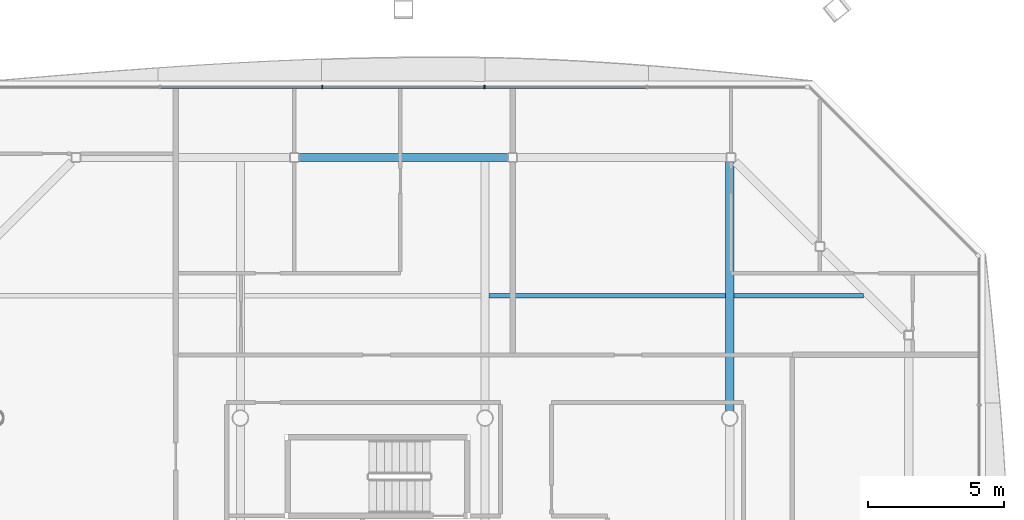
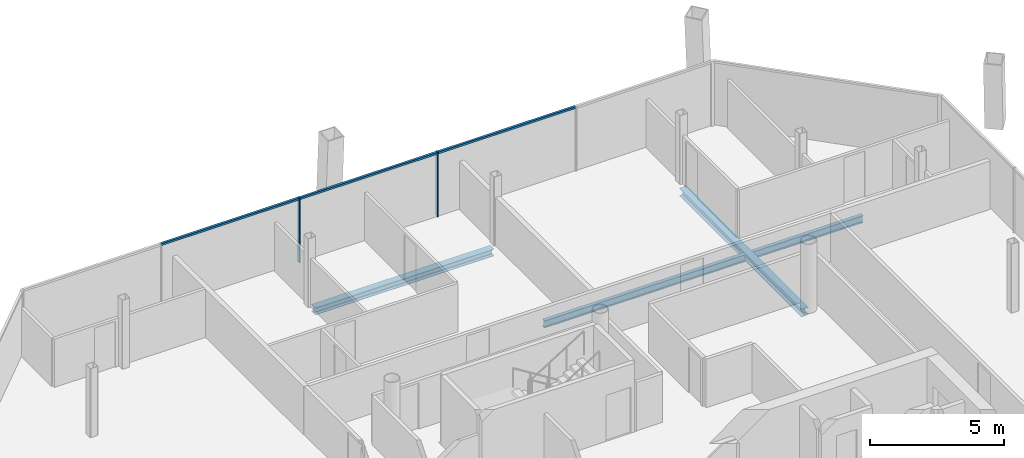
# One storey, part 11 of 20: 5 members, 4 beams, 1 element without a shape of its own.
"""IFC4 building model written with IfcOpenShell, lengths in metres."""

import ifcopenshell
import ifcopenshell.guid

model = None  # the IFC model being written
_history = None  # IfcOwnerHistory: only IFC2X3 demands one
_inside = {}  # id of a spatial element -> (the spatial element, [elements in it])
_under = {}  # id of a project, library or spatial element -> (it, [spatial elements below it])
_declared = {}  # id of a project -> (the project, [libraries it declares])
_typed = {}  # id of a type object -> (the type object, [elements of that type])
_made_of = {}  # id of a material, layer set ... -> (it, [elements and type objects made of it])


def new_model(schema):
    """Start an empty IFC model of exactly this schema.

    Asked for "IFC4X3", IfcOpenShell would pick the latest addendum, in which some entities
    have other attributes; the version numbers below select the first issue.
    IFC2X3 requires an IfcOwnerHistory on every rooted entity: one is made here for all.
    """
    global model, _history
    if schema == "IFC4X3":
        model = ifcopenshell.file(schema_version=(4, 3, 0, 0))
    else:
        model = ifcopenshell.file(schema=schema)
    _inside.clear()
    _under.clear()
    _declared.clear()
    _typed.clear()
    _made_of.clear()
    _history = None
    if model.schema == "IFC2X3":
        org = make("IfcOrganization", Name="unknown")
        user = make(
            "IfcPersonAndOrganization",
            ThePerson=make("IfcPerson", FamilyName="unknown"),
            TheOrganization=org,
        )
        app = make(
            "IfcApplication",
            ApplicationDeveloper=org,
            Version="unknown",
            ApplicationFullName="unknown",
            ApplicationIdentifier="unknown",
        )
        _history = make(
            "IfcOwnerHistory",
            OwningUser=user,
            OwningApplication=app,
            ChangeAction="ADDED",
            CreationDate=0,
        )
    return model


def make(cls, **values):
    """One entity of the class cls with the attributes given. An attribute that is None is left unset."""
    return model.create_entity(
        cls, **{name: value for name, value in values.items() if value is not None}
    )


def rooted(cls, **values):
    """An entity with a GlobalId (a new one), such as an element, a storey or a relation."""
    return make(cls, GlobalId=ifcopenshell.guid.new(), OwnerHistory=_history, **values)


def si_unit(unit_type, name, prefix=None):
    """IfcSIUnit, for example si_unit("LENGTHUNIT", "METRE", prefix="MILLI")."""
    return make("IfcSIUnit", UnitType=unit_type, Prefix=prefix, Name=name)


def assignment(units):
    """IfcUnitAssignment: the units of a project."""
    return None if units is None else make("IfcUnitAssignment", Units=units)


def point(xyz):
    """IfcCartesianPoint."""
    return None if xyz is None else make("IfcCartesianPoint", Coordinates=xyz)


def direction(xyz):
    """IfcDirection."""
    return None if xyz is None else make("IfcDirection", DirectionRatios=xyz)


def frame(location, z_axis=None, x_axis=None):
    """IfcAxis2Placement3D, a coordinate frame: its origin and axes. An axis left out is left unset."""
    return make(
        "IfcAxis2Placement3D",
        Location=point(location),
        Axis=direction(z_axis),
        RefDirection=direction(x_axis),
    )


def frame_2d(location, x_axis=None):
    """IfcAxis2Placement2D, a coordinate frame in the plane: its origin and x axis."""
    return make(
        "IfcAxis2Placement2D", Location=point(location), RefDirection=direction(x_axis)
    )


def origin():
    """The frame at (0, 0, 0) with its axes left unset."""
    return frame((0.0, 0.0, 0.0))


def origin_2d():
    """The frame at (0, 0) in the plane with its x axis left unset."""
    return frame_2d((0.0, 0.0))


def place(relative_to, where):
    """IfcLocalPlacement: puts the frame where relative to a parent placement (None: the world)."""
    return make(
        "IfcLocalPlacement", PlacementRelTo=relative_to, RelativePlacement=where
    )


def context(
    kind, dimensions, precision=None, world=None, true_north=None, identifier=None
):
    """IfcGeometricRepresentationContext, for example the 3D "Model" context."""
    return make(
        "IfcGeometricRepresentationContext",
        ContextIdentifier=identifier,
        ContextType=kind,
        CoordinateSpaceDimension=dimensions,
        Precision=precision,
        WorldCoordinateSystem=world,
        TrueNorth=true_north,
    )


def subcontext(parent, identifier, kind, view, scale=None):
    """IfcGeometricRepresentationSubContext, for example "Body" below "Model"."""
    return make(
        "IfcGeometricRepresentationSubContext",
        ContextIdentifier=identifier,
        ContextType=kind,
        ParentContext=parent,
        TargetScale=scale,
        TargetView=view,
    )


def project(units=None, contexts=None):
    """IfcProject with its units and contexts."""
    return rooted(
        "IfcProject",
        Name="project",
        RepresentationContexts=contexts,
        UnitsInContext=assignment(units),
    )


def spatial(cls, under=None, at=None, **own):
    """A site, building, storey or space (cls), placed at a placement, below another one or the project."""
    s = rooted(cls, ObjectPlacement=at, **own)
    if under is not None:
        _under.setdefault(under.id(), (under, []))[1].append(s)
    return s


def profile(cls, at=None, kind="AREA", **sizes):
    """A parametric profile (cls). Its sizes go by their IFC names, for example OverallWidth=200.0."""
    return make(cls, ProfileType=kind, Position=at, **sizes)


def rectangle(**sizes):
    """IfcRectangleProfileDef."""
    return profile("IfcRectangleProfileDef", **sizes)


def i_section(**sizes):
    """IfcIShapeProfileDef."""
    return profile("IfcIShapeProfileDef", **sizes)


def extrude(swept, where, along, depth):
    """IfcExtrudedAreaSolid: the profile swept, set in the frame where, extruded along a direction by depth."""
    return make(
        "IfcExtrudedAreaSolid",
        SweptArea=swept,
        Position=where,
        ExtrudedDirection=direction(along),
        Depth=depth,
    )


def shape(context_of_items, identifier, shape_type, items):
    """IfcShapeRepresentation: the items that make up one representation, for example the "Body"."""
    return make(
        "IfcShapeRepresentation",
        ContextOfItems=context_of_items,
        RepresentationIdentifier=identifier,
        RepresentationType=shape_type,
        Items=items,
    )


def material(Name=None, Category=None):
    """IfcMaterial."""
    return make("IfcMaterial", Name=Name, Category=Category)


def material_profile(
    of_material, cross_section, Name=None, Category=None, Priority=None
):
    """IfcMaterialProfile: a cross section and its material."""
    return make(
        "IfcMaterialProfile",
        Name=Name,
        Material=of_material,
        Profile=cross_section,
        Priority=Priority,
        Category=Category,
    )


def profile_set(profiles, Name=None, composite=None):
    """IfcMaterialProfileSet."""
    return make(
        "IfcMaterialProfileSet",
        Name=Name,
        MaterialProfiles=profiles,
        CompositeProfile=composite,
    )


def made_of(thing, what):
    """Note that an element or type object is made of a material, layer set ...; save() writes the relation."""
    if what is not None:
        _made_of.setdefault(what.id(), (what, []))[1].append(thing)
    return thing


def type_object(cls, material=None, **own):
    """A type object (cls), such as IfcWallType, which elements share."""
    return made_of(rooted(cls, **own), material)


def element(
    cls,
    number,
    at=None,
    inside=None,
    cuts=None,
    type_object=None,
    material=None,
    context=None,
    identifier="Body",
    shape_type=None,
    held_by="IfcProductDefinitionShape",
    body=None,
    shapes=None,
    **own,
):
    """One element of the class cls, such as IfcWall. Its Tag is "e" and its number.

    at: its placement. inside: the storey or other place that contains it. cuts: it is an
    opening in that element (IfcRelVoidsElement). A single representation is given by context,
    identifier, shape_type and body (its items); several are given by shapes. held_by: the class
    of the entity that holds the representations. save() writes the other relations.
    """
    e = rooted(cls, Tag="e%d" % number, ObjectPlacement=at, **own)
    if body is not None:
        shapes = [shape(context, identifier, shape_type, body)]
    if shapes is not None:
        e.Representation = make(held_by, Representations=shapes)
    if inside is not None:
        _inside.setdefault(inside.id(), (inside, []))[1].append(e)
    if cuts is not None:
        rooted(
            "IfcRelVoidsElement", RelatingBuildingElement=cuts, RelatedOpeningElement=e
        )
    if type_object is not None:
        _typed.setdefault(type_object.id(), (type_object, []))[1].append(e)
    return made_of(e, material)


def aggregate(whole, parts):
    """IfcRelAggregates: a whole, such as a stair, and the parts it consists of."""
    return rooted("IfcRelAggregates", RelatingObject=whole, RelatedObjects=parts)


def save(model, path):
    """Write the relations noted so far, then the file.

    IfcRelAggregates (storeys below a building ...), IfcRelContainedInSpatialStructure (elements
    in a storey), IfcRelDefinesByType, IfcRelAssociatesMaterial and IfcRelDeclares: one each for
    every whole, place, type object, material and project.
    """
    for whole, parts in _under.values():
        aggregate(whole, parts)
    for where, things in _inside.values():
        rooted(
            "IfcRelContainedInSpatialStructure",
            RelatedElements=things,
            RelatingStructure=where,
        )
    for kind, things in _typed.values():
        rooted("IfcRelDefinesByType", RelatedObjects=things, RelatingType=kind)
    for what, things in _made_of.values():
        rooted("IfcRelAssociatesMaterial", RelatedObjects=things, RelatingMaterial=what)
    for by, libraries in _declared.values():
        rooted("IfcRelDeclares", RelatingContext=by, RelatedDefinitions=libraries)
    model.write(path)


model = new_model("IFC4")

# Units and contexts
model_context = context("Model", 3, precision=1e-05, world=origin(), true_north=direction((0.0, 1.0)))
body_context = subcontext(model_context, "Body", "Model", "MODEL_VIEW")
ifc_project = project(units=[si_unit("LENGTHUNIT", "METRE"), si_unit("AREAUNIT", "SQUARE_METRE"), si_unit("VOLUMEUNIT", "CUBIC_METRE"), si_unit("PLANEANGLEUNIT", "RADIAN"), si_unit("MASSUNIT", "GRAM", prefix="KILO")], contexts=[model_context])

# Site, building, storey
site_placement = place(None, origin())
site = spatial("IfcSite", under=ifc_project, at=site_placement, CompositionType="ELEMENT")
building_placement = place(site_placement, origin())
building = spatial("IfcBuilding", under=site, at=building_placement, Name="Tskaro Facet Tower", CompositionType="ELEMENT")
storey_placement = place(building_placement, frame((0.0, 0.0, 175.35009765625)))
storey = spatial("IfcBuildingStorey", under=building, at=storey_placement, Name="L43", CompositionType="ELEMENT", Elevation=175.35009765625)

# Curtain wall, members
ifc_material_1 = material(Name="Bronze anodised aluminium 6063-T6", Category="aluminium")
curtain_wall_type = type_object("IfcCurtainWallType", Name="Bronze residence curtain wall (FW3)", PredefinedType="NOTDEFINED", material=ifc_material_1)
curtain_wall_placement = place(storey_placement, origin())
curtain_wall = element("IfcCurtainWall", 1, at=curtain_wall_placement, inside=storey, type_object=curtain_wall_type, Name="FW3 north facet L43", PredefinedType="NOTDEFINED")
ifc_material_profile_1 = material_profile(ifc_material_1, rectangle(XDim=0.050048828125, YDim=0.139892578125, at=origin_2d()), Name="Mullion 50x140")
ifc_profile_set_1 = profile_set([ifc_material_profile_1], Name="Bronze anodised aluminium 6063-T6")
member_type_1 = type_object("IfcMemberType", Name="FW3 bronze mullion 50x140", PredefinedType="MULLION", material=ifc_profile_set_1)
member_1_placement = place(storey_placement, frame((-0.013916015625, 21.176025390625, 0.0), z_axis=(0.0, 0.0, 1.0), x_axis=(-1.0, 0.0, 0.0)))
member_1 = element("IfcMember", 2, at=member_1_placement, type_object=member_type_1, Name="FW3 north mullion 2", PredefinedType="MULLION", context=body_context, shape_type="SweptSolid", body=[
    extrude(rectangle(XDim=0.050048828125, YDim=0.139892578125, at=origin_2d()), origin(), (0.0, 0.0, 1.0), 2.949951171875),
])
member_2_placement = place(storey_placement, frame((-5.986083984375, 21.176025390625, 0.0), z_axis=(0.0, 0.0, 1.0), x_axis=(-1.0, 0.0, 0.0)))
member_2 = element("IfcMember", 3, at=member_2_placement, type_object=member_type_1, Name="FW3 north mullion 3", PredefinedType="MULLION", context=body_context, shape_type="SweptSolid", body=[
    extrude(rectangle(XDim=0.050048828125, YDim=0.139892578125, at=origin_2d()), origin(), (0.0, 0.0, 1.0), 2.949951171875),
])
ifc_material_profile_2 = material_profile(ifc_material_1, rectangle(XDim=0.10009765625, YDim=0.090087890625, at=origin_2d()), Name="Transom 100x90")
ifc_profile_set_2 = profile_set([ifc_material_profile_2], Name="Bronze anodised aluminium 6063-T6")
member_type_2 = type_object("IfcMemberType", Name="FW3 bronze transom 100x90", PredefinedType="USERDEFINED", material=ifc_profile_set_2)
member_3_placement = place(storey_placement, frame((5.93359375, 21.176025390625, 2.90478515625), z_axis=(-1.0, 0.0, 0.0), x_axis=(0.0, -1.0, 0.0)))
member_3 = element("IfcMember", 4, at=member_3_placement, type_object=member_type_2, Name="FW3 north transom 2.1", ObjectType="TRANSOM", PredefinedType="USERDEFINED", context=body_context, shape_type="SweptSolid", body=[
    extrude(rectangle(XDim=0.10009765625, YDim=0.090087890625, at=origin_2d()), origin(), (0.0, 0.0, 1.0), 5.92236328125),
])
member_4_placement = place(storey_placement, frame((-0.038818359375, 21.176025390625, 2.90478515625), z_axis=(-1.0, 0.0, 0.0), x_axis=(0.0, -1.0, 0.0)))
member_4 = element("IfcMember", 5, at=member_4_placement, type_object=member_type_2, Name="FW3 north transom 3.1", ObjectType="TRANSOM", PredefinedType="USERDEFINED", context=body_context, shape_type="SweptSolid", body=[
    extrude(rectangle(XDim=0.10009765625, YDim=0.090087890625, at=origin_2d()), origin(), (0.0, 0.0, 1.0), 5.92236328125),
])
member_5_placement = place(storey_placement, frame((-6.01123046875, 21.176025390625, 2.90478515625), z_axis=(-1.0, 0.0, 0.0), x_axis=(0.0, -1.0, 0.0)))
member_5 = element("IfcMember", 6, at=member_5_placement, type_object=member_type_2, Name="FW3 north transom 4.1", ObjectType="TRANSOM", PredefinedType="USERDEFINED", context=body_context, shape_type="SweptSolid", body=[
    extrude(rectangle(XDim=0.10009765625, YDim=0.090087890625, at=origin_2d()), origin(), (0.0, 0.0, 1.0), 5.92236328125),
])
aggregate(curtain_wall, [member_1, member_2, member_3, member_4, member_5])

# Beams
ifc_material_2 = material(Name="Steel S355J2", Category="steel")
ifc_material_profile_3 = material_profile(ifc_material_2, i_section(OverallWidth=0.300048828125, OverallDepth=0.320068359375, WebThickness=0.011474609375, FlangeThickness=0.0205078125, FilletRadius=0.027099609375, at=origin_2d()), Name="HE 320 B")
ifc_profile_set_3 = profile_set([ifc_material_profile_3], Name="Steel S355J2")
beam_type_1 = type_object("IfcBeamType", Name="HE 320 B ring beam", PredefinedType="BEAM", material=ifc_profile_set_3)
beam_1_placement = place(storey_placement, frame((0.860107421875, 18.5830078125, -0.300048828125), z_axis=(-1.0, 0.0, 0.0), x_axis=(0.0, -1.0, 0.0)))
element("IfcBeam", 7, at=beam_1_placement, inside=storey, type_object=beam_type_1, Name="HE 320 B EB13-4", PredefinedType="BEAM", context=body_context, shape_type="SweptSolid", body=[
    extrude(i_section(OverallWidth=0.300048828125, OverallDepth=0.320068359375, WebThickness=0.011474609375, FlangeThickness=0.0205078125, FilletRadius=0.027099609375, at=origin_2d()), origin(), (0.0, 0.0, 1.0), 7.72021484375),
])
ifc_material_profile_4 = material_profile(ifc_material_2, i_section(OverallWidth=0.300048828125, OverallDepth=0.35009765625, WebThickness=0.010009765625, FlangeThickness=0.017578125, FilletRadius=0.027099609375, at=origin_2d()), Name="HE 360 A")
ifc_profile_set_4 = profile_set([ifc_material_profile_4], Name="Steel S355J2")
beam_type_2 = type_object("IfcBeamType", Name="HE 360 A girder", PredefinedType="BEAM", material=ifc_profile_set_4)
beam_2_placement = place(storey_placement, frame((9.0, 9.27490234375, -0.315185546875), z_axis=(0.0, 1.0, 0.0), x_axis=(-1.0, 0.0, 0.0)))
element("IfcBeam", 8, at=beam_2_placement, inside=storey, type_object=beam_type_2, Name="HE 360 A GB5-3-4", PredefinedType="BEAM", context=body_context, shape_type="SweptSolid", body=[
    extrude(i_section(OverallWidth=0.300048828125, OverallDepth=0.35009765625, WebThickness=0.010009765625, FlangeThickness=0.017578125, FilletRadius=0.027099609375, at=origin_2d()), origin(), (0.0, 0.0, 1.0), 9.14208984375),
])
ifc_material_profile_5 = material_profile(ifc_material_2, i_section(OverallWidth=0.159912109375, OverallDepth=0.330078125, WebThickness=0.007568359375, FlangeThickness=0.011474609375, FilletRadius=0.01806640625, at=origin_2d()), Name="IPE 330")
ifc_profile_set_5 = profile_set([ifc_material_profile_5], Name="Steel S355J2")
beam_type_3 = type_object("IfcBeamType", Name="IPE 330 secondary beam", PredefinedType="BEAM", material=ifc_profile_set_5)
beam_3_placement = place(storey_placement, frame((0.14990234375, 13.5, -0.30517578125), z_axis=(1.0, 0.0, 0.0), x_axis=(0.0, 1.0, 0.0)))
element("IfcBeam", 9, at=beam_3_placement, inside=storey, type_object=beam_type_3, Name="IPE 330 SB5a-4-4", PredefinedType="BEAM", context=body_context, shape_type="SweptSolid", body=[
    extrude(i_section(OverallWidth=0.159912109375, OverallDepth=0.330078125, WebThickness=0.007568359375, FlangeThickness=0.011474609375, FilletRadius=0.01806640625, at=origin_2d()), origin(), (0.0, 0.0, 1.0), 8.7001953125),
])
beam_4_placement = place(storey_placement, frame((9.14990234375, 13.5, -0.30517578125), z_axis=(1.0, 0.0, 0.0), x_axis=(0.0, 1.0, 0.0)))
element("IfcBeam", 10, at=beam_4_placement, inside=storey, type_object=beam_type_3, Name="IPE 330 SB5a-5-4", PredefinedType="BEAM", context=body_context, shape_type="SweptSolid", body=[
    extrude(i_section(OverallWidth=0.159912109375, OverallDepth=0.330078125, WebThickness=0.007568359375, FlangeThickness=0.011474609375, FilletRadius=0.01806640625, at=origin_2d()), origin(), (0.0, 0.0, 1.0), 4.76708984375),
])

save(model, "model.ifc")
